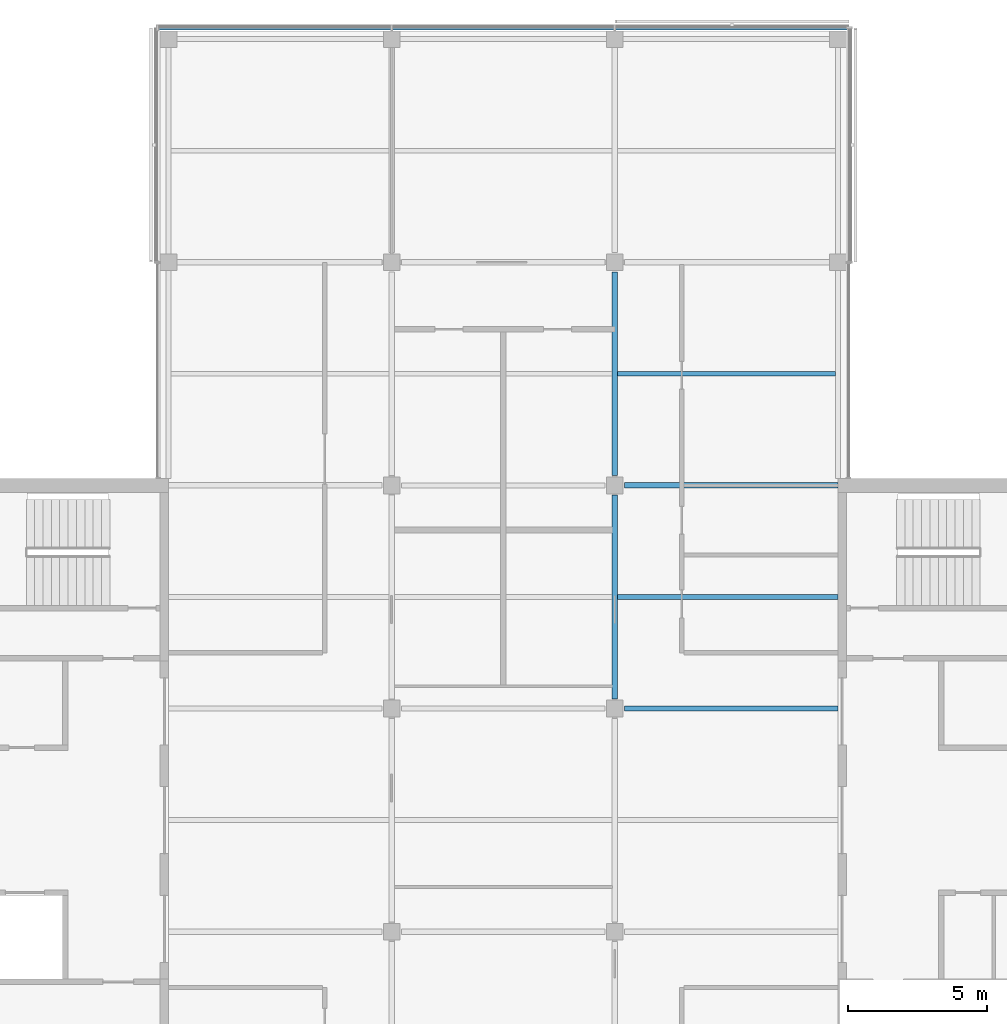
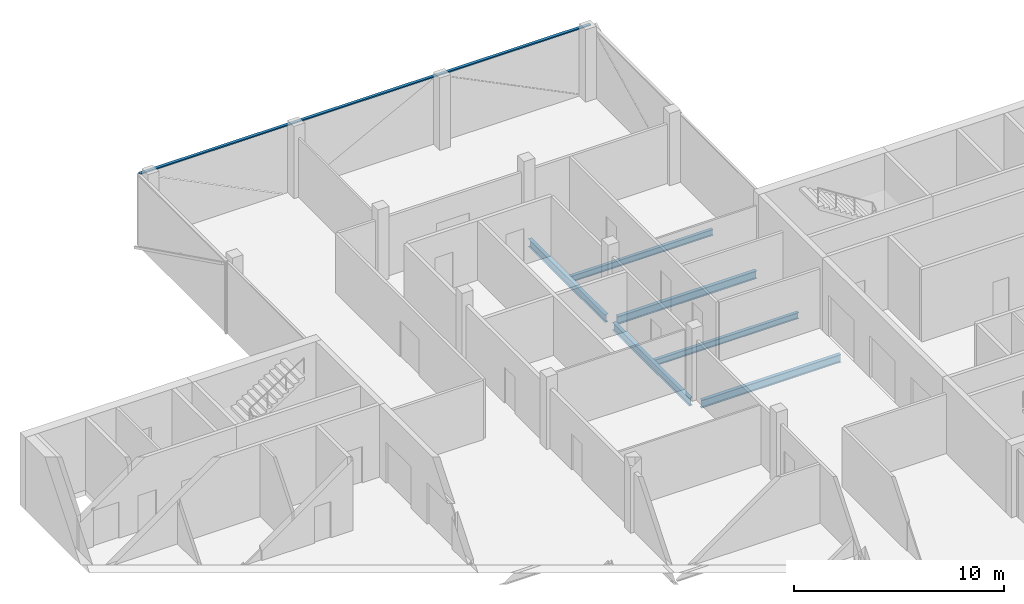
# One storey, part 6 of 16: 6 beams, 1 member, 1 element without a shape of its own.
"""IFC4 building model written with IfcOpenShell, lengths in metres."""

from ifc_helpers import new_model, si_unit, direction, frame, origin, origin_2d, place, context, subcontext, project, spatial, rectangle, i_section, extrude, material, material_profile, profile_set, type_object, element, aggregate, save


model = new_model("IFC4")

# Units and contexts
model_context = context("Model", 3, precision=1e-05, world=origin(), true_north=direction((0.0, 1.0)))
body_context = subcontext(model_context, "Body", "Model", "MODEL_VIEW")
ifc_project = project(units=[si_unit("LENGTHUNIT", "METRE"), si_unit("AREAUNIT", "SQUARE_METRE"), si_unit("VOLUMEUNIT", "CUBIC_METRE"), si_unit("PLANEANGLEUNIT", "RADIAN"), si_unit("MASSUNIT", "GRAM", prefix="KILO")], contexts=[model_context])

# Site, building, storey
site_placement = place(None, origin())
site = spatial("IfcSite", under=ifc_project, at=site_placement, CompositionType="ELEMENT")
building_placement = place(site_placement, origin())
building = spatial("IfcBuilding", under=site, at=building_placement, Name="Crosswind Convention Tower", CompositionType="ELEMENT")
storey_placement = place(building_placement, frame((0.0, 0.0, 295.5)))
storey = spatial("IfcBuildingStorey", under=building, at=storey_placement, Name="L64", CompositionType="ELEMENT", Elevation=295.5)

# Beams
ifc_material_1 = material(Name="Steel S355", Category="steel")
ifc_material_profile_1 = material_profile(ifc_material_1, i_section(OverallWidth=0.18994140625, OverallDepth=0.45361328125, WebThickness=0.008544921875, FlangeThickness=0.0126953125, FilletRadius=0.01025390625, at=origin_2d()), Name="UB 457x191x67")
ifc_profile_set_1 = profile_set([ifc_material_profile_1], Name="Steel S355")
beam_type_1 = type_object("IfcBeamType", Name="Girder UB 457x191x67", PredefinedType="BEAM", material=ifc_profile_set_1)
for number, where, z_axis, x_axis, name in (
    (1, (129.0, 104.35009765625, -0.52685546875), (0.0, 1.0, 0.0), (-1.0, 0.0, 0.0), "B1 L64 girder 20"),
    (2, (129.0, 112.35009765625, -0.52685546875), (0.0, 1.0, 0.0), (-1.0, 0.0, 0.0), "B1 L64 girder 21"),
):
    element("IfcBeam", number, at=place(storey_placement, frame(where, z_axis=z_axis, x_axis=x_axis)), inside=storey, type_object=beam_type_1, Name=name, PredefinedType="BEAM", context=body_context, shape_type="SweptSolid", body=[
        extrude(i_section(OverallWidth=0.18994140625, OverallDepth=0.45361328125, WebThickness=0.008544921875, FlangeThickness=0.0126953125, FilletRadius=0.01025390625, at=origin_2d()), origin(), (0.0, 0.0, 1.0), 7.2998046875),
    ])
ifc_material_profile_2 = material_profile(ifc_material_1, i_section(OverallWidth=0.1904296875, OverallDepth=0.457275390625, WebThickness=0.009033203125, FlangeThickness=0.014404296875, FilletRadius=0.01025390625, at=origin_2d()), Name="UB 457x191x75")
ifc_profile_set_2 = profile_set([ifc_material_profile_2], Name="Steel S355")
beam_type_2 = type_object("IfcBeamType", Name="Girder at core wall UB 457x191x75", PredefinedType="BEAM", material=ifc_profile_set_2)
for number, where, z_axis, x_axis, name in (
    (3, (129.35009765625, 104.0, -0.528564453125), (1.0, 0.0, 0.0), (0.0, 1.0, 0.0), "B22 L64 girder at core wall 7"),
    (4, (129.35009765625, 112.0, -0.528564453125), (1.0, 0.0, 0.0), (0.0, 1.0, 0.0), "B22 L64 girder at core wall 8"),
):
    element("IfcBeam", number, at=place(storey_placement, frame(where, z_axis=z_axis, x_axis=x_axis)), inside=storey, type_object=beam_type_2, Name=name, PredefinedType="BEAM", context=body_context, shape_type="SweptSolid", body=[
        extrude(i_section(OverallWidth=0.1904296875, OverallDepth=0.457275390625, WebThickness=0.009033203125, FlangeThickness=0.014404296875, FilletRadius=0.01025390625, at=origin_2d()), origin(), (0.0, 0.0, 1.0), 7.64990234375),
    ])
ifc_material_profile_3 = material_profile(ifc_material_1, i_section(OverallWidth=0.17138671875, OverallDepth=0.355712890625, WebThickness=0.00732421875, FlangeThickness=0.011474609375, FilletRadius=0.01025390625, at=origin_2d()), Name="UB 356x171x51")
ifc_profile_set_3 = profile_set([ifc_material_profile_3], Name="Steel S355")
beam_type_3 = type_object("IfcBeamType", Name="Secondary beam UB 356x171x51", PredefinedType="JOIST", material=ifc_profile_set_3)
beam_1_placement = place(storey_placement, frame((129.094970703125, 108.0, -0.477783203125), z_axis=(1.0, 0.0, 0.0), x_axis=(0.0, 1.0, 0.0)))
element("IfcBeam", 5, at=beam_1_placement, inside=storey, type_object=beam_type_3, Name="B8 L64 secondary beam 19", PredefinedType="JOIST", context=body_context, shape_type="SweptSolid", body=[
    extrude(i_section(OverallWidth=0.17138671875, OverallDepth=0.355712890625, WebThickness=0.00732421875, FlangeThickness=0.011474609375, FilletRadius=0.01025390625, at=origin_2d()), origin(), (0.0, 0.0, 1.0), 7.905029296875),
])
beam_2_placement = place(storey_placement, frame((129.094970703125, 116.0, -0.477783203125), z_axis=(1.0, 0.0, 0.0), x_axis=(0.0, 1.0, 0.0)))
element("IfcBeam", 6, at=beam_2_placement, inside=storey, type_object=beam_type_3, Name="B8 L64 secondary beam 20", PredefinedType="JOIST", context=body_context, shape_type="SweptSolid", body=[
    extrude(i_section(OverallWidth=0.17138671875, OverallDepth=0.355712890625, WebThickness=0.00732421875, FlangeThickness=0.011474609375, FilletRadius=0.01025390625, at=origin_2d()), origin(), (0.0, 0.0, 1.0), 7.816162109375),
])

# Curtain wall, member
ifc_material_2 = material(Name="Aluminium unitised curtain wall", Category="aluminium")
curtain_wall_type = type_object("IfcCurtainWallType", Name="OFFICE UNITISED WALL 220", PredefinedType="USERDEFINED", material=ifc_material_2)
curtain_wall_placement = place(storey_placement, origin())
curtain_wall = element("IfcCurtainWall", 7, at=curtain_wall_placement, inside=storey, type_object=curtain_wall_type, Name="CW3 L64 N-TIP 1", ObjectType="UNITISED", PredefinedType="USERDEFINED")
ifc_material_3 = material(Name="Aluminium transom", Category="aluminium")
ifc_material_profile_4 = material_profile(ifc_material_3, rectangle(XDim=0.159912109375, YDim=0.070068359375, at=origin_2d()), Name="AL 160X70")
ifc_profile_set_4 = profile_set([ifc_material_profile_4], Name="Aluminium transom")
member_type = type_object("IfcMemberType", Name="TRANSOM 70X160", PredefinedType="USERDEFINED", material=ifc_profile_set_4)
member_placement = place(storey_placement, frame((137.375, 128.409912109375, 3.864990234375), z_axis=(-1.0, 0.0, 0.0), x_axis=(0.0, -1.0, 0.0)))
member = element("IfcMember", 8, at=member_placement, type_object=member_type, Name="CW3 transom", ObjectType="TRANSOM", PredefinedType="USERDEFINED", context=body_context, shape_type="SweptSolid", body=[
    extrude(rectangle(XDim=0.159912109375, YDim=0.070068359375, at=origin_2d()), origin(), (0.0, 0.0, 1.0), 24.75),
])
aggregate(curtain_wall, [member])

save(model, "model.ifc")
